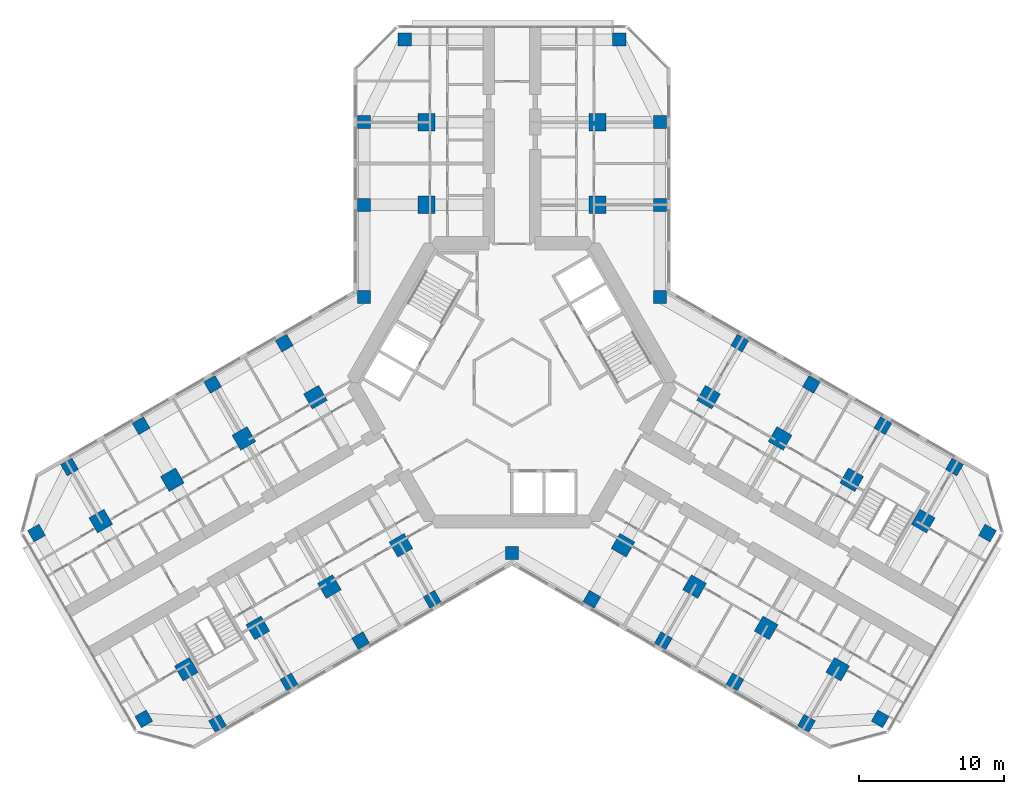
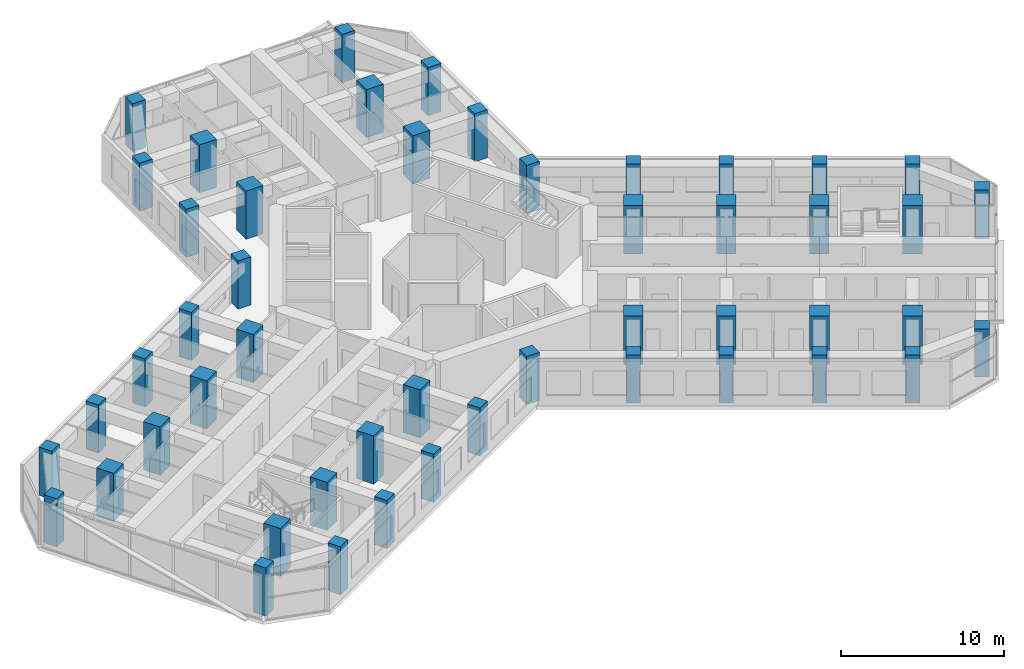
# One storey, part 1 of 19: 49 columns.
"""IFC4 building model written with IfcOpenShell, lengths in metres."""

from ifc_helpers import new_model, si_unit, direction, frame, origin, origin_2d, place, context, subcontext, project, spatial, rectangle, extrude, material, material_profile, profile_set, type_object, element, save


model = new_model("IFC4")

# Units and contexts
model_context = context("Model", 3, precision=1e-05, world=origin(), true_north=direction((0.0, 1.0)))
body_context = subcontext(model_context, "Body", "Model", "MODEL_VIEW")
ifc_project = project(units=[si_unit("LENGTHUNIT", "METRE"), si_unit("AREAUNIT", "SQUARE_METRE"), si_unit("VOLUMEUNIT", "CUBIC_METRE"), si_unit("PLANEANGLEUNIT", "RADIAN"), si_unit("MASSUNIT", "GRAM", prefix="KILO")], contexts=[model_context])

# Site, building, storey
site_placement = place(None, origin())
site = spatial("IfcSite", under=ifc_project, at=site_placement, CompositionType="ELEMENT")
building_placement = place(site_placement, origin())
building = spatial("IfcBuilding", under=site, at=building_placement, Name="Kosmar Iwan School Tower", CompositionType="ELEMENT")
storey_placement = place(building_placement, frame((0.0, 0.0, 165.199951171875)))
storey = spatial("IfcBuildingStorey", under=building, at=storey_placement, Name="L41", CompositionType="ELEMENT", Elevation=165.199951171875)

# Columns
ifc_material_1 = material(Name="Concrete C50/60", Category="concrete")
ifc_material_profile_1 = material_profile(ifc_material_1, rectangle(XDim=0.89990234375, YDim=0.89990234375, at=origin_2d()), Name="RC 900x900 + HD 400x347")
ifc_profile_set_1 = profile_set([ifc_material_profile_1], Name="Concrete C50/60")
column_type_1 = type_object("IfcColumnType", Name="Composite column 900x900 HD 400x347", PredefinedType="COLUMN", material=ifc_profile_set_1)
for number, where, z_axis, x_axis, name in (
    (1, (-10.199951171875, 12.25, 0.0), (0.0, 0.0, 1.0), (0.0, 1.0, 0.0), "Column AL1 L41"),
    (2, (-10.199951171875, 17.949951171875, 0.0), (0.0, 0.0, 1.0), (0.0, 1.0, 0.0), "Column AL2 L41"),
    (3, (-7.39990234375, 23.64990234375, 0.0), (0.0, 0.0, 1.0), (0.0, 1.0, 0.0), "Column ALTIP L41"),
    (4, (10.199951171875, 12.25, 0.0), (0.0, 0.0, 1.0), (0.0, 1.0, 0.0), "Column AR1 L41"),
    (5, (10.199951171875, 17.949951171875, 0.0), (0.0, 0.0, 1.0), (0.0, 1.0, 0.0), "Column AR2 L41"),
    (6, (7.39990234375, 23.64990234375, 0.0), (0.0, 0.0, 1.0), (0.0, 1.0, 0.0), "Column ARTIP L41"),
    (7, (-5.5087890625, -14.95849609375, 0.0), (0.0, 0.0, 1.0), (-0.866025403784, -0.5, 0.0), "Column BL1 L41"),
    (8, (-10.445068359375, -17.808349609375, 0.0), (0.0, 0.0, 1.0), (-0.866025403784, -0.5, 0.0), "Column BL2 L41"),
    (9, (-15.381591796875, -20.658447265625, 0.0), (0.0, 0.0, 1.0), (-0.866025403784, -0.5, 0.0), "Column BL3 L41"),
    (10, (-20.31787109375, -23.508544921875, 0.0), (0.0, 0.0, 1.0), (-0.866025403784, -0.5, 0.0), "Column BL4 L41"),
    (11, (-25.3984375, -23.20849609375, 0.0), (0.0, 0.0, 1.0), (-0.866025403784, -0.5, 0.0), "Column BLTIP L41"),
    (12, (-15.708740234375, 2.70849609375, 0.0), (0.0, 0.0, 1.0), (-0.866025403784, -0.5, 0.0), "Column BR1 L41"),
    (13, (-20.645263671875, -0.1416015625, 0.0), (0.0, 0.0, 1.0), (-0.866025403784, -0.5, 0.0), "Column BR2 L41"),
    (14, (-25.58154296875, -2.991455078125, 0.0), (0.0, 0.0, 1.0), (-0.866025403784, -0.5, 0.0), "Column BR3 L41"),
    (15, (-30.517822265625, -5.841552734375, 0.0), (0.0, 0.0, 1.0), (-0.866025403784, -0.5, 0.0), "Column BR4 L41"),
    (16, (-32.79833984375, -10.391357421875, 0.0), (0.0, 0.0, 1.0), (-0.866025403784, -0.5, 0.0), "Column BRTIP L41"),
    (17, (15.708740234375, 2.70849609375, 0.0), (0.0, 0.0, 1.0), (0.866025403784, -0.5, 0.0), "Column CL1 L41"),
    (18, (20.645263671875, -0.1416015625, 0.0), (0.0, 0.0, 1.0), (0.866025403784, -0.5, 0.0), "Column CL2 L41"),
    (19, (25.58154296875, -2.991455078125, 0.0), (0.0, 0.0, 1.0), (0.866025403784, -0.5, 0.0), "Column CL3 L41"),
    (20, (30.517822265625, -5.841552734375, 0.0), (0.0, 0.0, 1.0), (0.866025403784, -0.5, 0.0), "Column CL4 L41"),
    (21, (32.79833984375, -10.391357421875, 0.0), (0.0, 0.0, 1.0), (0.866025403784, -0.5, 0.0), "Column CLTIP L41"),
    (22, (5.5087890625, -14.95849609375, 0.0), (0.0, 0.0, 1.0), (0.866025403784, -0.5, 0.0), "Column CR1 L41"),
    (23, (10.445068359375, -17.808349609375, 0.0), (0.0, 0.0, 1.0), (0.866025403784, -0.5, 0.0), "Column CR2 L41"),
    (24, (15.381591796875, -20.658447265625, 0.0), (0.0, 0.0, 1.0), (0.866025403784, -0.5, 0.0), "Column CR3 L41"),
    (25, (20.31787109375, -23.508544921875, 0.0), (0.0, 0.0, 1.0), (0.866025403784, -0.5, 0.0), "Column CR4 L41"),
    (26, (25.3984375, -23.20849609375, 0.0), (0.0, 0.0, 1.0), (0.866025403784, -0.5, 0.0), "Column CRTIP L41"),
    (27, (-10.199951171875, 5.888916015625, 0.0), (0.0, 0.0, 1.0), (1.0, 0.0, 0.0), "Column RAB L41"),
    (28, (10.199951171875, 5.888916015625, 0.0), (0.0, 0.0, 1.0), (1.0, 0.0, 0.0), "Column RAC L41"),
    (29, (0.0, -11.77783203125, 0.0), (0.0, 0.0, 1.0), (1.0, 0.0, 0.0), "Column RBC L41"),
):
    element("IfcColumn", number, at=place(storey_placement, frame(where, z_axis=z_axis, x_axis=x_axis)), inside=storey, type_object=column_type_1, Name=name, PredefinedType="COLUMN", context=body_context, shape_type="SweptSolid", body=[
        extrude(rectangle(XDim=0.89990234375, YDim=0.89990234375, at=origin_2d()), origin(), (0.0, 0.0, 1.0), 3.60009765625),
    ])
ifc_material_2 = material(Name="Concrete C50/60", Category="concrete")
ifc_material_profile_2 = material_profile(ifc_material_2, rectangle(XDim=1.199951171875, YDim=1.199951171875, at=origin_2d()), Name="RC 1200x1200")
ifc_profile_set_2 = profile_set([ifc_material_profile_2], Name="Concrete C50/60")
column_type_2 = type_object("IfcColumnType", Name="RC interior column 1200x1200", PredefinedType="COLUMN", material=ifc_profile_set_2)
for number, where, z_axis, x_axis, name in (
    (30, (-5.89990234375, 12.25, 0.0), (0.0, 0.0, 1.0), (0.0, 1.0, 0.0), "Interior column ALI1 L41"),
    (31, (-5.89990234375, 17.949951171875, 0.0), (0.0, 0.0, 1.0), (0.0, 1.0, 0.0), "Interior column ALI2 L41"),
    (32, (5.89990234375, 12.25, 0.0), (0.0, 0.0, 1.0), (0.0, 1.0, 0.0), "Interior column ARI1 L41"),
    (33, (5.89990234375, 17.949951171875, 0.0), (0.0, 0.0, 1.0), (0.0, 1.0, 0.0), "Interior column ARI2 L41"),
    (34, (-7.65869140625, -11.234619140625, 0.0), (0.0, 0.0, 1.0), (-0.866025403784, -0.5, 0.0), "Interior column BLI1 L41"),
    (35, (-12.59521484375, -14.08447265625, 0.0), (0.0, 0.0, 1.0), (-0.866025403784, -0.5, 0.0), "Interior column BLI2 L41"),
    (36, (-17.531494140625, -16.9345703125, 0.0), (0.0, 0.0, 1.0), (-0.866025403784, -0.5, 0.0), "Interior column BLI3 L41"),
    (37, (-22.4677734375, -19.78466796875, 0.0), (0.0, 0.0, 1.0), (-0.866025403784, -0.5, 0.0), "Interior column BLI4 L41"),
    (38, (-13.558837890625, -1.015380859375, 0.0), (0.0, 0.0, 1.0), (-0.866025403784, -0.5, 0.0), "Interior column BRI1 L41"),
    (39, (-18.4951171875, -3.865478515625, 0.0), (0.0, 0.0, 1.0), (-0.866025403784, -0.5, 0.0), "Interior column BRI2 L41"),
    (40, (-23.431396484375, -6.71533203125, 0.0), (0.0, 0.0, 1.0), (-0.866025403784, -0.5, 0.0), "Interior column BRI3 L41"),
    (41, (-28.367919921875, -9.5654296875, 0.0), (0.0, 0.0, 1.0), (-0.866025403784, -0.5, 0.0), "Interior column BRI4 L41"),
    (42, (13.558837890625, -1.015380859375, 0.0), (0.0, 0.0, 1.0), (0.866025403784, -0.5, 0.0), "Interior column CLI1 L41"),
    (43, (18.4951171875, -3.865478515625, 0.0), (0.0, 0.0, 1.0), (0.866025403784, -0.5, 0.0), "Interior column CLI2 L41"),
    (44, (23.431396484375, -6.71533203125, 0.0), (0.0, 0.0, 1.0), (0.866025403784, -0.5, 0.0), "Interior column CLI3 L41"),
    (45, (28.367919921875, -9.5654296875, 0.0), (0.0, 0.0, 1.0), (0.866025403784, -0.5, 0.0), "Interior column CLI4 L41"),
    (46, (7.65869140625, -11.234619140625, 0.0), (0.0, 0.0, 1.0), (0.866025403784, -0.5, 0.0), "Interior column CRI1 L41"),
    (47, (12.59521484375, -14.08447265625, 0.0), (0.0, 0.0, 1.0), (0.866025403784, -0.5, 0.0), "Interior column CRI2 L41"),
    (48, (17.531494140625, -16.9345703125, 0.0), (0.0, 0.0, 1.0), (0.866025403784, -0.5, 0.0), "Interior column CRI3 L41"),
    (49, (22.4677734375, -19.78466796875, 0.0), (0.0, 0.0, 1.0), (0.866025403784, -0.5, 0.0), "Interior column CRI4 L41"),
):
    element("IfcColumn", number, at=place(storey_placement, frame(where, z_axis=z_axis, x_axis=x_axis)), inside=storey, type_object=column_type_2, Name=name, PredefinedType="COLUMN", context=body_context, shape_type="SweptSolid", body=[
        extrude(rectangle(XDim=1.199951171875, YDim=1.199951171875, at=origin_2d()), origin(), (0.0, 0.0, 1.0), 3.60009765625),
    ])

save(model, "model.ifc")
